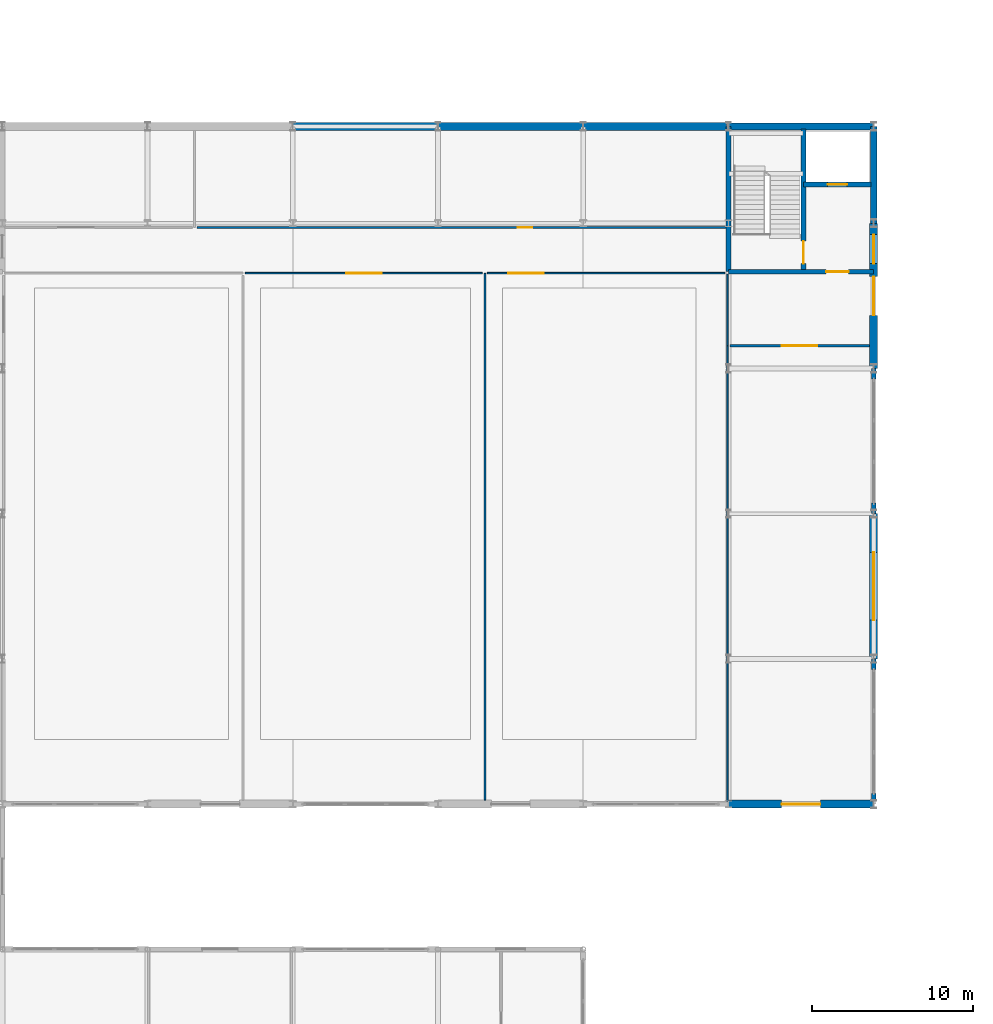
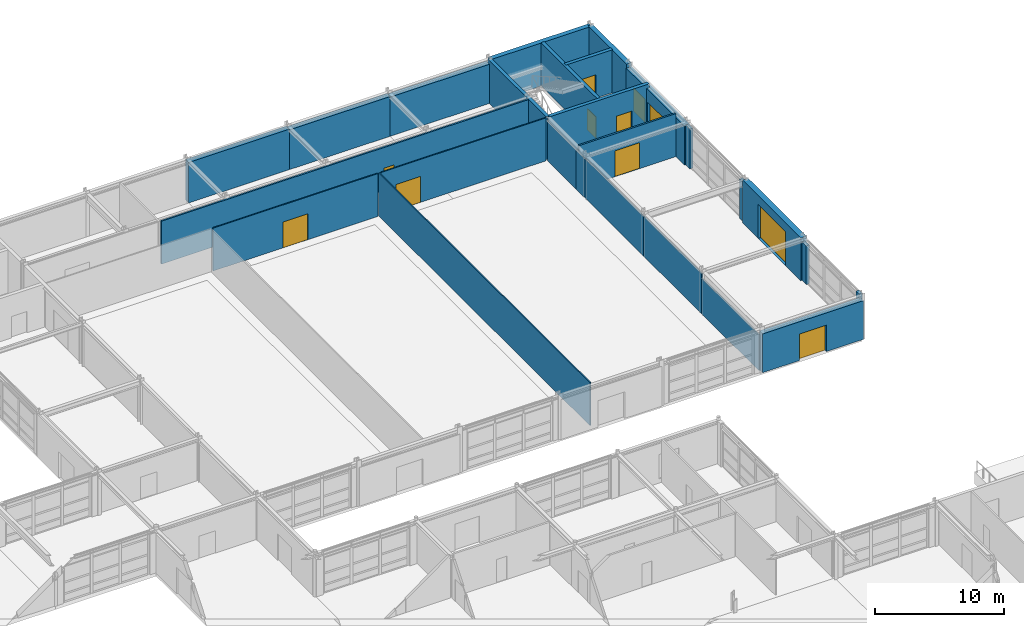
# One storey, part 67 of 72: 26 walls, 11 doors, 11 openings.
"""IFC4 building model written with IfcOpenShell, lengths in metres."""

from ifc_helpers import new_model, si_unit, direction, frame, frame_2d, origin, place, context, subcontext, project, spatial, rectangle, extrude, material, layer, layer_set, type_object, element, fill, save


model = new_model("IFC4")

# Units and contexts
model_context = context("Model", 3, precision=1e-05, world=origin(), true_north=direction((0.0, 1.0)))
body_context = subcontext(model_context, "Body", "Model", "MODEL_VIEW")
ifc_project = project(units=[si_unit("LENGTHUNIT", "METRE"), si_unit("AREAUNIT", "SQUARE_METRE"), si_unit("VOLUMEUNIT", "CUBIC_METRE"), si_unit("PLANEANGLEUNIT", "RADIAN"), si_unit("MASSUNIT", "GRAM", prefix="KILO")], contexts=[model_context])

# Site, building, storey
site_placement = place(None, origin())
site = spatial("IfcSite", under=ifc_project, at=site_placement, CompositionType="ELEMENT")
building_placement = place(site_placement, origin())
building = spatial("IfcBuilding", under=site, at=building_placement, Name="Palais des Congres Ocreval", CompositionType="ELEMENT")
storey_placement = place(building_placement, origin())
storey = spatial("IfcBuildingStorey", under=building, at=storey_placement, Name="L00", CompositionType="ELEMENT", Elevation=0.0)

# Walls
ifc_material_1 = material(Name="Concrete C40/50", Category="concrete")
ifc_layer_1 = layer(ifc_material_1, 0.5)
ifc_layer_set_1 = layer_set([ifc_layer_1], Name="Acoustic Ballroom Wall 500 Concrete C40/50")
wall_type_1 = type_object("IfcWallType", Name="Acoustic Ballroom Wall 500 Concrete C40/50", PredefinedType="SOLIDWALL", material=ifc_layer_set_1)
wall_1_placement = place(storey_placement, frame((126.0, 114.0, 0.0), z_axis=(0.0, 0.0, 1.0), x_axis=(1.0, 0.0, 0.0)))
element("IfcWall", 1, at=wall_1_placement, inside=storey, type_object=wall_type_1, Name="Exterior Wall EW01 L00", PredefinedType="SOLIDWALL", context=body_context, shape_type="SweptSolid", body=[
    extrude(rectangle(XDim=9.0, YDim=0.5, at=frame_2d((4.5, 0.0))), origin(), (0.0, 0.0, 1.0), 3.824951171875),
])
wall_2_placement = place(storey_placement, frame((135.0, 114.0, 0.0), z_axis=(0.0, 0.0, 1.0), x_axis=(1.0, 0.0, 0.0)))
element("IfcWall", 2, at=wall_2_placement, inside=storey, type_object=wall_type_1, Name="Exterior Wall EW01 L00", PredefinedType="SOLIDWALL", context=body_context, shape_type="SweptSolid", body=[
    extrude(rectangle(XDim=9.0, YDim=0.5, at=frame_2d((4.5, 0.0))), origin(), (0.0, 0.0, 1.0), 3.7548828125),
])
wall_3_placement = place(storey_placement, frame((144.0, 114.0, 0.0), z_axis=(0.0, 0.0, 1.0), x_axis=(1.0, 0.0, 0.0)))
element("IfcWall", 3, at=wall_3_placement, inside=storey, type_object=wall_type_1, Name="Exterior Wall EW01 L00", PredefinedType="SOLIDWALL", context=body_context, shape_type="SweptSolid", body=[
    extrude(rectangle(XDim=8.8701171875, YDim=0.5, at=frame_2d((4.43505859375, 0.0))), origin(), (0.0, 0.0, 1.0), 3.695068359375),
])

# Wall, openings, doors
wall_4_placement = place(storey_placement, frame((162.0, 108.0, 0.0), z_axis=(0.0, 0.0, 1.0), x_axis=(0.0, -1.0, 0.0)))
wall_4 = element("IfcWall", 4, at=wall_4_placement, inside=storey, type_object=wall_type_1, Name="Exterior Wall EW01 L00", PredefinedType="SOLIDWALL", context=body_context, shape_type="SweptSolid", body=[
    extrude(rectangle(XDim=9.0, YDim=0.5, at=frame_2d((4.5, 0.0))), origin(), (0.0, 0.0, 1.0), 3.695068359375),
])
opening_1_placement = place(wall_4_placement, frame((0.699951171875, 0.0, 0.0)))
opening_1 = element("IfcOpeningElement", 5, at=opening_1_placement, cuts=wall_4, Name="Opening ED04", PredefinedType="OPENING", context=body_context, shape_type="SweptSolid", body=[
    extrude(rectangle(XDim=1.800048828125, YDim=2.199951171875, at=frame_2d((0.89990234375, 1.10009765625))), frame((0.0, 0.260009765625, 0.0), z_axis=(0.0, -1.0, 0.0), x_axis=(1.0, 0.0, 0.0)), (0.0, 0.0, 1.0), 0.52001953125),
])
opening_2_placement = place(wall_4_placement, frame((3.300048828125, 0.0, 0.0)))
opening_2 = element("IfcOpeningElement", 6, at=opening_2_placement, cuts=wall_4, Name="Opening ED03", PredefinedType="OPENING", context=body_context, shape_type="SweptSolid", body=[
    extrude(rectangle(XDim=2.39990234375, YDim=2.5, at=frame_2d((1.199951171875, 1.25))), frame((0.0, 0.260009765625, 0.0), z_axis=(0.0, -1.0, 0.0), x_axis=(1.0, 0.0, 0.0)), (0.0, 0.0, 1.0), 0.52001953125),
])
ifc_material_2 = material(Name="Anodized bronze aluminium and safety glass", Category="aluminium")
door_type_1 = type_object("IfcDoorType", Name="Ballroom Final Exit Door 2400x2500", OperationType="NOTDEFINED", PredefinedType="DOOR", material=ifc_material_2)
door_1_placement = place(opening_2_placement, origin())
door_1 = element("IfcDoor", 7, at=door_1_placement, inside=storey, type_object=door_type_1, Name="Pedestrian Final Exit Door E22", OperationType="DOUBLE_DOOR_SINGLE_SWING", OverallHeight=2.5, OverallWidth=2.39990234375, PredefinedType="DOOR", context=body_context, shape_type="SweptSolid", body=[
    extrude(rectangle(XDim=2.39990234375, YDim=2.5, at=frame_2d((1.199951171875, 1.25))), frame((0.0, 0.02490234375, 0.0), z_axis=(0.0, -1.0, 0.0), x_axis=(1.0, 0.0, 0.0)), (0.0, 0.0, 1.0), 0.050048828125),
])
fill(opening_2, door_1)
door_type_2 = type_object("IfcDoorType", Name="Stair Street Discharge Door 1800x2200", OperationType="NOTDEFINED", PredefinedType="DOOR", material=ifc_material_2)
door_2_placement = place(opening_1_placement, origin())
door_2 = element("IfcDoor", 8, at=door_2_placement, inside=storey, type_object=door_type_2, Name="Stair Lobby Final Exit Discharge Door ST08", OperationType="DOUBLE_DOOR_SINGLE_SWING", OverallHeight=2.199951171875, OverallWidth=1.800048828125, PredefinedType="DOOR", context=body_context, shape_type="SweptSolid", body=[
    extrude(rectangle(XDim=1.800048828125, YDim=2.199951171875, at=frame_2d((0.89990234375, 1.10009765625))), frame((0.0, 0.02490234375, 0.0), z_axis=(0.0, -1.0, 0.0), x_axis=(1.0, 0.0, 0.0)), (0.0, 0.0, 1.0), 0.050048828125),
])
fill(opening_1, door_2)

# Wall, opening, door
wall_5_placement = place(storey_placement, frame((162.0, 90.0, 0.0), z_axis=(0.0, 0.0, 1.0), x_axis=(0.0, -1.0, 0.0)))
wall_5 = element("IfcWall", 9, at=wall_5_placement, inside=storey, type_object=wall_type_1, Name="Exterior Wall EW01 L00", PredefinedType="SOLIDWALL", context=body_context, shape_type="SweptSolid", body=[
    extrude(rectangle(XDim=9.0, YDim=0.5, at=frame_2d((4.5, 0.0))), origin(), (0.0, 0.0, 1.0), 4.054931640625),
])
opening_3_placement = place(wall_5_placement, frame((2.39990234375, 0.0, 0.0)))
opening_3 = element("IfcOpeningElement", 10, at=opening_3_placement, cuts=wall_5, Name="Opening VG02", PredefinedType="OPENING", context=body_context, shape_type="SweptSolid", body=[
    extrude(rectangle(XDim=4.199951171875, YDim=3.199951171875, at=frame_2d((2.10009765625, 1.60009765625))), frame((0.0, 0.260009765625, 0.0), z_axis=(0.0, -1.0, 0.0), x_axis=(1.0, 0.0, 0.0)), (0.0, 0.0, 1.0), 0.52001953125),
])
ifc_material_3 = material(Name="Galvanized painted steel", Category="steel")
door_type_3 = type_object("IfcDoorType", Name="Service Yard Vehicle Gate 4200x3200", OperationType="NOTDEFINED", PredefinedType="GATE", material=ifc_material_3)
door_3_placement = place(opening_3_placement, origin())
door_3 = element("IfcDoor", 11, at=door_3_placement, inside=storey, type_object=door_type_3, Name="Banquet Service Yard Gate VG02", OperationType="ROLLINGUP", OverallHeight=3.199951171875, OverallWidth=4.199951171875, PredefinedType="GATE", context=body_context, shape_type="SweptSolid", body=[
    extrude(rectangle(XDim=4.199951171875, YDim=3.199951171875, at=frame_2d((2.10009765625, 1.60009765625))), frame((0.0, 0.02490234375, 0.0), z_axis=(0.0, -1.0, 0.0), x_axis=(1.0, 0.0, 0.0)), (0.0, 0.0, 1.0), 0.050048828125),
])
fill(opening_3, door_3)

wall_6_placement = place(storey_placement, frame((162.0, 72.0, 0.0), z_axis=(0.0, 0.0, 1.0), x_axis=(-1.0, 0.0, 0.0)))
wall_6 = element("IfcWall", 12, at=wall_6_placement, inside=storey, type_object=wall_type_1, Name="Exterior Wall EW01 L00", PredefinedType="SOLIDWALL", context=body_context, shape_type="SweptSolid", body=[
    extrude(rectangle(XDim=9.0, YDim=0.5, at=frame_2d((4.5, 0.0))), origin(), (0.0, 0.0, 1.0), 3.655029296875),
])
opening_4_placement = place(wall_6_placement, frame((3.300048828125, 0.0, 0.0)))
opening_4 = element("IfcOpeningElement", 13, at=opening_4_placement, cuts=wall_6, Name="Opening ED03", PredefinedType="OPENING", context=body_context, shape_type="SweptSolid", body=[
    extrude(rectangle(XDim=2.39990234375, YDim=2.5, at=frame_2d((1.199951171875, 1.25))), frame((0.0, 0.260009765625, 0.0), z_axis=(0.0, -1.0, 0.0), x_axis=(1.0, 0.0, 0.0)), (0.0, 0.0, 1.0), 0.52001953125),
])
door_4_placement = place(opening_4_placement, origin())
door_4 = element("IfcDoor", 14, at=door_4_placement, inside=storey, type_object=door_type_1, Name="Pedestrian Final Exit Door E23", OperationType="DOUBLE_DOOR_SINGLE_SWING", OverallHeight=2.5, OverallWidth=2.39990234375, PredefinedType="DOOR", context=body_context, shape_type="SweptSolid", body=[
    extrude(rectangle(XDim=2.39990234375, YDim=2.5, at=frame_2d((1.199951171875, 1.25))), frame((0.0, 0.02490234375, 0.0), z_axis=(0.0, -1.0, 0.0), x_axis=(1.0, 0.0, 0.0)), (0.0, 0.0, 1.0), 0.050048828125),
])
fill(opening_4, door_4)

ifc_material_4 = material(Name="Moisture-resistant gypsum board")
ifc_layer_2 = layer(ifc_material_4, 0.139892578125)
ifc_layer_set_2 = layer_set([ifc_layer_2], Name="Bathroom Plumbing Chase Wall 140 Gypsum (Moisture-resistant gypsum board)")
wall_type_2 = type_object("IfcWallType", Name="Bathroom Plumbing Chase Wall 140 Gypsum", PredefinedType="PLUMBINGWALL", material=ifc_layer_set_2)
wall_7_placement = place(storey_placement, frame((120.06494140625, 107.735107421875, 0.0), z_axis=(0.0, 0.0, 1.0), x_axis=(1.0, 0.0, 0.0)))
wall_7 = element("IfcWall", 15, at=wall_7_placement, inside=storey, type_object=wall_type_2, Name="Interior Partition PW03 L00", PredefinedType="PLUMBINGWALL", context=body_context, shape_type="SweptSolid", body=[
    extrude(rectangle(XDim=32.780029296875, YDim=0.139892578125, at=frame_2d((16.39013671875, 0.0))), origin(), (0.0, 0.0, 1.0), 4.054931640625),
])
opening_5_placement = place(wall_7_placement, frame((19.87353515625, 0.0, 0.0)))
opening_5 = element("IfcOpeningElement", 16, at=opening_5_placement, cuts=wall_7, Name="Opening D09", PredefinedType="OPENING", context=body_context, shape_type="SweptSolid", body=[
    extrude(rectangle(XDim=0.89990234375, YDim=2.10009765625, at=frame_2d((0.449951171875, 1.050048828125))), frame((0.0, 0.079833984375, 0.0), z_axis=(0.0, -1.0, 0.0), x_axis=(1.0, 0.0, 0.0)), (0.0, 0.0, 1.0), 0.159912109375),
])
ifc_material_5 = material(Name="Solid French oak", Category="wood")
door_type_4 = type_object("IfcDoorType", Name="Accessible Restroom Door 900x2100", OperationType="NOTDEFINED", PredefinedType="DOOR", material=ifc_material_5)
door_5_placement = place(opening_5_placement, origin())
door_5 = element("IfcDoor", 17, at=door_5_placement, inside=storey, type_object=door_type_4, Name="Interior Door D09 L00", OperationType="SINGLE_SWING_RIGHT", OverallHeight=2.10009765625, OverallWidth=0.89990234375, PredefinedType="DOOR", context=body_context, shape_type="SweptSolid", body=[
    extrude(rectangle(XDim=0.89990234375, YDim=2.10009765625, at=frame_2d((0.449951171875, 1.050048828125))), frame((0.0, 0.02490234375, 0.0), z_axis=(0.0, -1.0, 0.0), x_axis=(1.0, 0.0, 0.0)), (0.0, 0.0, 1.0), 0.050048828125),
])
fill(opening_5, door_5)

# Walls
ifc_layer_3 = layer(ifc_material_1, 0.419921875)
ifc_layer_set_3 = layer_set([ifc_layer_3], Name="Congress Stone Facade Wall 420 Concrete C40/50")
wall_type_3 = type_object("IfcWallType", Name="Congress Stone Facade Wall 420 Concrete C40/50", PredefinedType="SOLIDWALL", material=ifc_layer_set_3)
wall_8_placement = place(storey_placement, frame((153.0, 114.0, 0.0), z_axis=(0.0, 0.0, 1.0), x_axis=(1.0, 0.0, 0.0)))
element("IfcWall", 18, at=wall_8_placement, inside=storey, type_object=wall_type_3, Name="Core Perimeter Shear Wall EW02 SC08 L00", PredefinedType="SOLIDWALL", context=body_context, shape_type="SweptSolid", body=[
    extrude(rectangle(XDim=9.0, YDim=0.419921875, at=frame_2d((4.5, 0.0))), origin(), (0.0, 0.0, 1.0), 4.054931640625),
])
wall_9_placement = place(storey_placement, frame((162.0, 114.0, 0.0), z_axis=(0.0, 0.0, 1.0), x_axis=(0.0, -1.0, 0.0)))
element("IfcWall", 19, at=wall_9_placement, inside=storey, type_object=wall_type_3, Name="Core Perimeter Shear Wall EW02 SC08 L00", PredefinedType="SOLIDWALL", context=body_context, shape_type="SweptSolid", body=[
    extrude(rectangle(XDim=6.0, YDim=0.419921875, at=frame_2d((3.0, 0.0))), origin(), (0.0, 0.0, 1.0), 4.054931640625),
])

# Wall, opening, door
ifc_layer_4 = layer(ifc_material_1, 0.300048828125)
ifc_layer_set_4 = layer_set([ifc_layer_4], Name="Core Shear Wall 300 Concrete C40/50")
wall_type_4 = type_object("IfcWallType", Name="Core Shear Wall 300 Concrete C40/50", PredefinedType="SHEAR", material=ifc_layer_set_4)
wall_10_placement = place(storey_placement, frame((153.0, 105.0, 0.0), z_axis=(0.0, 0.0, 1.0), x_axis=(1.0, 0.0, 0.0)))
wall_10 = element("IfcWall", 20, at=wall_10_placement, inside=storey, type_object=wall_type_4, Name="Core Shear Wall SC08 L00 S", PredefinedType="SHEAR", context=body_context, shape_type="SweptSolid", body=[
    extrude(rectangle(XDim=9.0, YDim=0.300048828125, at=frame_2d((4.5, 0.0))), origin(), (0.0, 0.0, 1.0), 4.054931640625),
])
opening_6_placement = place(wall_10_placement, frame((6.050048828125, 0.0, 0.0)))
opening_6 = element("IfcOpeningElement", 21, at=opening_6_placement, cuts=wall_10, Name="Opening D03", PredefinedType="OPENING", context=body_context, shape_type="SweptSolid", body=[
    extrude(rectangle(XDim=1.39990234375, YDim=2.02001953125, at=frame_2d((0.699951171875, 1.010009765625))), frame((0.0, 0.159912109375, 0.0), z_axis=(0.0, -1.0, 0.0), x_axis=(1.0, 0.0, 0.0)), (0.0, 0.0, 1.0), 0.320068359375),
])
ifc_material_6 = material(Name="Painted fire-rated steel", Category="steel")
door_type_5 = type_object("IfcDoorType", Name="Core Lobby Rated Door 1400x2020", OperationType="NOTDEFINED", PredefinedType="DOOR", material=ifc_material_6)
door_6_placement = place(opening_6_placement, origin())
door_6 = element("IfcDoor", 22, at=door_6_placement, inside=storey, type_object=door_type_5, Name="Lobby Entrance Door SC08 L00", OperationType="DOUBLE_DOOR_SINGLE_SWING", OverallHeight=2.02001953125, OverallWidth=1.39990234375, PredefinedType="DOOR", context=body_context, shape_type="SweptSolid", body=[
    extrude(rectangle(XDim=1.39990234375, YDim=2.02001953125, at=frame_2d((0.699951171875, 1.010009765625))), frame((0.0, 0.02490234375, 0.0), z_axis=(0.0, -1.0, 0.0), x_axis=(1.0, 0.0, 0.0)), (0.0, 0.0, 1.0), 0.050048828125),
])
fill(opening_6, door_6)

# Wall
wall_11_placement = place(storey_placement, frame((153.0, 105.0, 0.0), z_axis=(0.0, 0.0, 1.0), x_axis=(0.0, 1.0, 0.0)))
element("IfcWall", 23, at=wall_11_placement, inside=storey, type_object=wall_type_4, Name="Core Shear Wall SC08 L00 W", PredefinedType="SHEAR", context=body_context, shape_type="SweptSolid", body=[
    extrude(rectangle(XDim=9.0, YDim=0.300048828125, at=frame_2d((4.5, 0.0))), origin(), (0.0, 0.0, 1.0), 4.054931640625),
])

# Wall, opening, door
wall_12_placement = place(storey_placement, frame((157.64990234375, 105.14990234375, 0.0), z_axis=(0.0, 0.0, 1.0), x_axis=(0.0, 1.0, 0.0)))
wall_12 = element("IfcWall", 24, at=wall_12_placement, inside=storey, type_object=wall_type_4, Name="Core Spine Shear Wall SC08 L00", PredefinedType="SHEAR", context=body_context, shape_type="SweptSolid", body=[
    extrude(rectangle(XDim=8.7001953125, YDim=0.300048828125, at=frame_2d((4.35009765625, 0.0))), origin(), (0.0, 0.0, 1.0), 4.054931640625),
])
opening_7_placement = place(wall_12_placement, frame((0.35009765625, 0.0, 0.0)))
opening_7 = element("IfcOpeningElement", 25, at=opening_7_placement, cuts=wall_12, Name="Opening D03", PredefinedType="OPENING", context=body_context, shape_type="SweptSolid", body=[
    extrude(rectangle(XDim=1.39990234375, YDim=2.02001953125, at=frame_2d((0.699951171875, 1.010009765625))), frame((0.0, 0.159912109375, 0.0), z_axis=(0.0, -1.0, 0.0), x_axis=(1.0, 0.0, 0.0)), (0.0, 0.0, 1.0), 0.320068359375),
])
door_7_placement = place(opening_7_placement, origin())
door_7 = element("IfcDoor", 26, at=door_7_placement, inside=storey, type_object=door_type_5, Name="Protected Exit Stair Door ST08 L00", OperationType="SINGLE_SWING_RIGHT", OverallHeight=2.02001953125, OverallWidth=1.39990234375, PredefinedType="DOOR", context=body_context, shape_type="SweptSolid", body=[
    extrude(rectangle(XDim=1.39990234375, YDim=2.02001953125, at=frame_2d((0.699951171875, 1.010009765625))), frame((0.0, 0.02490234375, 0.0), z_axis=(0.0, -1.0, 0.0), x_axis=(1.0, 0.0, 0.0)), (0.0, 0.0, 1.0), 0.050048828125),
])
fill(opening_7, door_7)

wall_13_placement = place(storey_placement, frame((157.64990234375, 110.39990234375, 0.0), z_axis=(0.0, 0.0, 1.0), x_axis=(1.0, 0.0, 0.0)))
wall_13 = element("IfcWall", 27, at=wall_13_placement, inside=storey, type_object=wall_type_4, Name="Lift Shaft Front Wall SC08 L00", PredefinedType="SHEAR", context=body_context, shape_type="SweptSolid", body=[
    extrude(rectangle(XDim=4.2001953125, YDim=0.300048828125, at=frame_2d((2.10009765625, 0.0))), origin(), (0.0, 0.0, 1.0), 4.054931640625),
])
opening_8_placement = place(wall_13_placement, frame((1.5, 0.0, 0.0)))
opening_8 = element("IfcOpeningElement", 28, at=opening_8_placement, cuts=wall_13, Name="Opening LD02", PredefinedType="OPENING", context=body_context, shape_type="SweptSolid", body=[
    extrude(rectangle(XDim=1.199951171875, YDim=2.199951171875, at=frame_2d((0.60009765625, 1.10009765625))), frame((0.0, 0.159912109375, 0.0), z_axis=(0.0, -1.0, 0.0), x_axis=(1.0, 0.0, 0.0)), (0.0, 0.0, 1.0), 0.320068359375),
])
ifc_material_7 = material(Name="Anodized bronze steel", Category="steel")
door_type_6 = type_object("IfcDoorType", Name="Passenger and Service Lift Sliding Door 1200x2200", OperationType="NOTDEFINED", PredefinedType="DOOR", material=ifc_material_7)
door_8_placement = place(opening_8_placement, origin())
door_8 = element("IfcDoor", 29, at=door_8_placement, inside=storey, type_object=door_type_6, Name="Lift Landing Sliding Door BL3 L00", OperationType="DOUBLE_DOOR_SLIDING", OverallHeight=2.199951171875, OverallWidth=1.199951171875, PredefinedType="DOOR", context=body_context, shape_type="SweptSolid", body=[
    extrude(rectangle(XDim=1.199951171875, YDim=2.199951171875, at=frame_2d((0.60009765625, 1.10009765625))), frame((0.0, 0.02490234375, 0.0), z_axis=(0.0, -1.0, 0.0), x_axis=(1.0, 0.0, 0.0)), (0.0, 0.0, 1.0), 0.050048828125),
])
fill(opening_8, door_8)

ifc_material_8 = material(Name="Gypsum acoustic partition")
ifc_layer_5 = layer(ifc_material_8, 0.159912109375)
ifc_layer_set_5 = layer_set([ifc_layer_5], Name="Corridor Fire Partition 160 Gypsum (Gypsum acoustic partition)")
wall_type_5 = type_object("IfcWallType", Name="Corridor Fire Partition 160 Gypsum", PredefinedType="PARTITIONING", material=ifc_layer_set_5)
wall_14_placement = place(storey_placement, frame((153.090087890625, 100.409912109375, 0.0), z_axis=(0.0, 0.0, 1.0), x_axis=(1.0, 0.0, 0.0)))
wall_14 = element("IfcWall", 30, at=wall_14_placement, inside=storey, type_object=wall_type_5, Name="Interior Partition IW03 L00", PredefinedType="PARTITIONING", context=body_context, shape_type="SweptSolid", body=[
    extrude(rectangle(XDim=8.655029296875, YDim=0.159912109375, at=frame_2d((4.32763671875, 0.0))), origin(), (0.0, 0.0, 1.0), 4.054931640625),
])
opening_9_placement = place(wall_14_placement, frame((3.2275390625, 0.0, 0.0)))
opening_9 = element("IfcOpeningElement", 31, at=opening_9_placement, cuts=wall_14, Name="Opening D14", PredefinedType="OPENING", context=body_context, shape_type="SweptSolid", body=[
    extrude(rectangle(XDim=2.199951171875, YDim=2.449951171875, at=frame_2d((1.10009765625, 1.22509765625))), frame((0.0, 0.08984375, 0.0), z_axis=(0.0, -1.0, 0.0), x_axis=(1.0, 0.0, 0.0)), (0.0, 0.0, 1.0), 0.179931640625),
])
ifc_material_9 = material(Name="Acoustic oak and bronze", Category="wood")
door_type_7 = type_object("IfcDoorType", Name="Grand Ballroom Acoustic Double Door 2200x2450", OperationType="NOTDEFINED", PredefinedType="DOOR", material=ifc_material_9)
door_9_placement = place(opening_9_placement, origin())
door_9 = element("IfcDoor", 32, at=door_9_placement, inside=storey, type_object=door_type_7, Name="Interior Door D14 L00", OperationType="DOUBLE_DOOR_SINGLE_SWING", OverallHeight=2.449951171875, OverallWidth=2.199951171875, PredefinedType="DOOR", context=body_context, shape_type="SweptSolid", body=[
    extrude(rectangle(XDim=2.199951171875, YDim=2.449951171875, at=frame_2d((1.10009765625, 1.22509765625))), frame((0.0, 0.02490234375, 0.0), z_axis=(0.0, -1.0, 0.0), x_axis=(1.0, 0.0, 0.0)), (0.0, 0.0, 1.0), 0.050048828125),
])
fill(opening_9, door_9)

# Walls
ifc_material_10 = material(Name="Gypsum board partition")
ifc_layer_6 = layer(ifc_material_10, 0.10009765625)
ifc_layer_set_6 = layer_set([ifc_layer_6], Name="Operable Pocket Lining Wall 100 Gypsum (Gypsum board partition)")
wall_type_6 = type_object("IfcWallType", Name="Operable Pocket Lining Wall 100 Gypsum", PredefinedType="PARTITIONING", material=ifc_layer_set_6)
wall_15_placement = place(storey_placement, frame((137.909912109375, 72.2548828125, 0.0), z_axis=(0.0, 0.0, 1.0), x_axis=(0.0, 1.0, 0.0)))
element("IfcWall", 33, at=wall_15_placement, inside=storey, type_object=wall_type_6, Name="Interior Partition IW05 L00", PredefinedType="PARTITIONING", context=body_context, shape_type="SweptSolid", body=[
    extrude(rectangle(XDim=32.64501953125, YDim=0.10009765625, at=frame_2d((16.322509765625, 0.0))), origin(), (0.0, 0.0, 1.0), 4.054931640625),
])
wall_16_placement = place(storey_placement, frame((152.93505859375, 100.419921875, 0.0), z_axis=(0.0, 0.0, 1.0), x_axis=(0.0, 1.0, 0.0)))
element("IfcWall", 34, at=wall_16_placement, inside=storey, type_object=wall_type_6, Name="Interior Partition IW05 L00", PredefinedType="PARTITIONING", context=body_context, shape_type="SweptSolid", body=[
    extrude(rectangle(XDim=4.425048828125, YDim=0.10009765625, at=frame_2d((2.21240234375, 0.0))), origin(), (0.0, 0.0, 1.0), 3.6650390625),
])
wall_17_placement = place(storey_placement, frame((152.93505859375, 72.14501953125, 0.0), z_axis=(0.0, 0.0, 1.0), x_axis=(0.0, 1.0, 0.0)))
element("IfcWall", 35, at=wall_17_placement, inside=storey, type_object=wall_type_6, Name="Interior Partition IW05 L00", PredefinedType="PARTITIONING", context=body_context, shape_type="SweptSolid", body=[
    extrude(rectangle(XDim=8.875, YDim=0.10009765625, at=frame_2d((4.4375, 0.0))), origin(), (0.0, 0.0, 1.0), 3.364990234375),
])

# Wall, opening, door
wall_18_placement = place(storey_placement, frame((123.06494140625, 104.909912109375, 0.0), z_axis=(0.0, 0.0, 1.0), x_axis=(1.0, 0.0, 0.0)))
wall_18 = element("IfcWall", 36, at=wall_18_placement, inside=storey, type_object=wall_type_6, Name="Interior Partition IW05 L00", PredefinedType="PARTITIONING", context=body_context, shape_type="SweptSolid", body=[
    extrude(rectangle(XDim=14.68994140625, YDim=0.10009765625, at=frame_2d((7.344970703125, 0.0))), origin(), (0.0, 0.0, 1.0), 4.054931640625),
])
opening_10_placement = place(wall_18_placement, frame((6.2451171875, 0.0, 0.0)))
opening_10 = element("IfcOpeningElement", 37, at=opening_10_placement, cuts=wall_18, Name="Opening D14", PredefinedType="OPENING", context=body_context, shape_type="SweptSolid", body=[
    extrude(rectangle(XDim=2.199951171875, YDim=2.449951171875, at=frame_2d((1.10009765625, 1.22509765625))), frame((0.0, 0.06005859375, 0.0), z_axis=(0.0, -1.0, 0.0), x_axis=(1.0, 0.0, 0.0)), (0.0, 0.0, 1.0), 0.1201171875),
])
door_10_placement = place(opening_10_placement, origin())
door_10 = element("IfcDoor", 38, at=door_10_placement, inside=storey, type_object=door_type_7, Name="Interior Door D14 L00", OperationType="DOUBLE_DOOR_SINGLE_SWING", OverallHeight=2.449951171875, OverallWidth=2.199951171875, PredefinedType="DOOR", context=body_context, shape_type="SweptSolid", body=[
    extrude(rectangle(XDim=2.199951171875, YDim=2.449951171875, at=frame_2d((1.10009765625, 1.22509765625))), frame((0.0, 0.02490234375, 0.0), z_axis=(0.0, -1.0, 0.0), x_axis=(1.0, 0.0, 0.0)), (0.0, 0.0, 1.0), 0.050048828125),
])
fill(opening_10, door_10)

wall_19_placement = place(storey_placement, frame((138.06494140625, 104.909912109375, 0.0), z_axis=(0.0, 0.0, 1.0), x_axis=(1.0, 0.0, 0.0)))
wall_19 = element("IfcWall", 39, at=wall_19_placement, inside=storey, type_object=wall_type_6, Name="Interior Partition IW05 L00", PredefinedType="PARTITIONING", context=body_context, shape_type="SweptSolid", body=[
    extrude(rectangle(XDim=14.715087890625, YDim=0.10009765625, at=frame_2d((7.357421875, 0.0))), origin(), (0.0, 0.0, 1.0), 4.054931640625),
])
opening_11_placement = place(wall_19_placement, frame((1.300048828125, 0.0, 0.0)))
opening_11 = element("IfcOpeningElement", 40, at=opening_11_placement, cuts=wall_19, Name="Opening D14", PredefinedType="OPENING", context=body_context, shape_type="SweptSolid", body=[
    extrude(rectangle(XDim=2.199951171875, YDim=2.449951171875, at=frame_2d((1.10009765625, 1.22509765625))), frame((0.0, 0.06005859375, 0.0), z_axis=(0.0, -1.0, 0.0), x_axis=(1.0, 0.0, 0.0)), (0.0, 0.0, 1.0), 0.1201171875),
])
door_11_placement = place(opening_11_placement, origin())
door_11 = element("IfcDoor", 41, at=door_11_placement, inside=storey, type_object=door_type_7, Name="Interior Door D14 L00", OperationType="DOUBLE_DOOR_SINGLE_SWING", OverallHeight=2.449951171875, OverallWidth=2.199951171875, PredefinedType="DOOR", context=body_context, shape_type="SweptSolid", body=[
    extrude(rectangle(XDim=2.199951171875, YDim=2.449951171875, at=frame_2d((1.10009765625, 1.22509765625))), frame((0.0, 0.02490234375, 0.0), z_axis=(0.0, -1.0, 0.0), x_axis=(1.0, 0.0, 0.0)), (0.0, 0.0, 1.0), 0.050048828125),
])
fill(opening_11, door_11)

# Walls
wall_20_placement = place(storey_placement, frame((152.93505859375, 81.02001953125, 0.0), z_axis=(0.0, 0.0, 1.0), x_axis=(0.0, 1.0, 0.0)))
element("IfcWall", 42, at=wall_20_placement, inside=storey, type_object=wall_type_6, Name="Interior Partition IW05 L00", PredefinedType="PARTITIONING", context=body_context, shape_type="SweptSolid", body=[
    extrude(rectangle(XDim=8.9599609375, YDim=0.10009765625, at=frame_2d((4.47998046875, 0.0))), origin(), (0.0, 0.0, 1.0), 3.764892578125),
])
wall_21_placement = place(storey_placement, frame((152.93505859375, 89.97998046875, 0.0), z_axis=(0.0, 0.0, 1.0), x_axis=(0.0, 1.0, 0.0)))
element("IfcWall", 43, at=wall_21_placement, inside=storey, type_object=wall_type_6, Name="Interior Partition IW05 L00", PredefinedType="PARTITIONING", context=body_context, shape_type="SweptSolid", body=[
    extrude(rectangle(XDim=9.0, YDim=0.10009765625, at=frame_2d((4.5, 0.0))), origin(), (0.0, 0.0, 1.0), 3.72509765625),
])
wall_22_placement = place(storey_placement, frame((152.93505859375, 98.97998046875, 0.0), z_axis=(0.0, 0.0, 1.0), x_axis=(0.0, 1.0, 0.0)))
element("IfcWall", 44, at=wall_22_placement, inside=storey, type_object=wall_type_6, Name="Interior Partition IW05 L00", PredefinedType="PARTITIONING", context=body_context, shape_type="SweptSolid", body=[
    extrude(rectangle(XDim=1.419921875, YDim=0.10009765625, at=frame_2d((0.7099609375, 0.0))), origin(), (0.0, 0.0, 1.0), 3.6650390625),
])
ifc_layer_7 = layer(ifc_material_1, 0.280029296875)
ifc_layer_set_7 = layer_set([ifc_layer_7], Name="Terracotta Mineral-Lime Facade Wall 280 Concrete C40/50")
wall_type_7 = type_object("IfcWallType", Name="Terracotta Mineral-Lime Facade Wall 280 Concrete C40/50", PredefinedType="SOLIDWALL", material=ifc_layer_set_7)
for number, where, z_axis, x_axis, name in (
    (45, (162.0, 99.0, 0.0), (0.0, 0.0, 1.0), (0.0, -1.0, 0.0), "Facade Pier EW05 L00"),
    (46, (162.0, 90.64990234375, 0.0), (0.0, 0.0, 1.0), (0.0, -1.0, 0.0), "Facade Pier EW05 L00"),
):
    element("IfcWall", number, at=place(storey_placement, frame(where, z_axis=z_axis, x_axis=x_axis)), inside=storey, type_object=wall_type_7, Name=name, PredefinedType="SOLIDWALL", context=body_context, shape_type="SweptSolid", body=[
        extrude(rectangle(XDim=0.64990234375, YDim=0.280029296875, at=frame_2d((0.324951171875, 0.0))), origin(), (0.0, 0.0, 1.0), 3.7548828125),
    ])
wall_23_placement = place(storey_placement, frame((162.0, 81.0, 0.0), z_axis=(0.0, 0.0, 1.0), x_axis=(0.0, -1.0, 0.0)))
element("IfcWall", 47, at=wall_23_placement, inside=storey, type_object=wall_type_7, Name="Facade Pier EW05 L00", PredefinedType="SOLIDWALL", context=body_context, shape_type="SweptSolid", body=[
    extrude(rectangle(XDim=0.64990234375, YDim=0.280029296875, at=frame_2d((0.324951171875, 0.0))), origin(), (0.0, 0.0, 1.0), 3.655029296875),
])
wall_24_placement = place(storey_placement, frame((162.0, 72.64990234375, 0.0), z_axis=(0.0, 0.0, 1.0), x_axis=(0.0, -1.0, 0.0)))
element("IfcWall", 48, at=wall_24_placement, inside=storey, type_object=wall_type_7, Name="Facade Pier EW05 L00", PredefinedType="SOLIDWALL", context=body_context, shape_type="SweptSolid", body=[
    extrude(rectangle(XDim=0.494873046875, YDim=0.280029296875, at=frame_2d((0.24755859375, 0.0))), origin(), (0.0, 0.0, 1.0), 4.054931640625),
])

save(model, "model.ifc")
